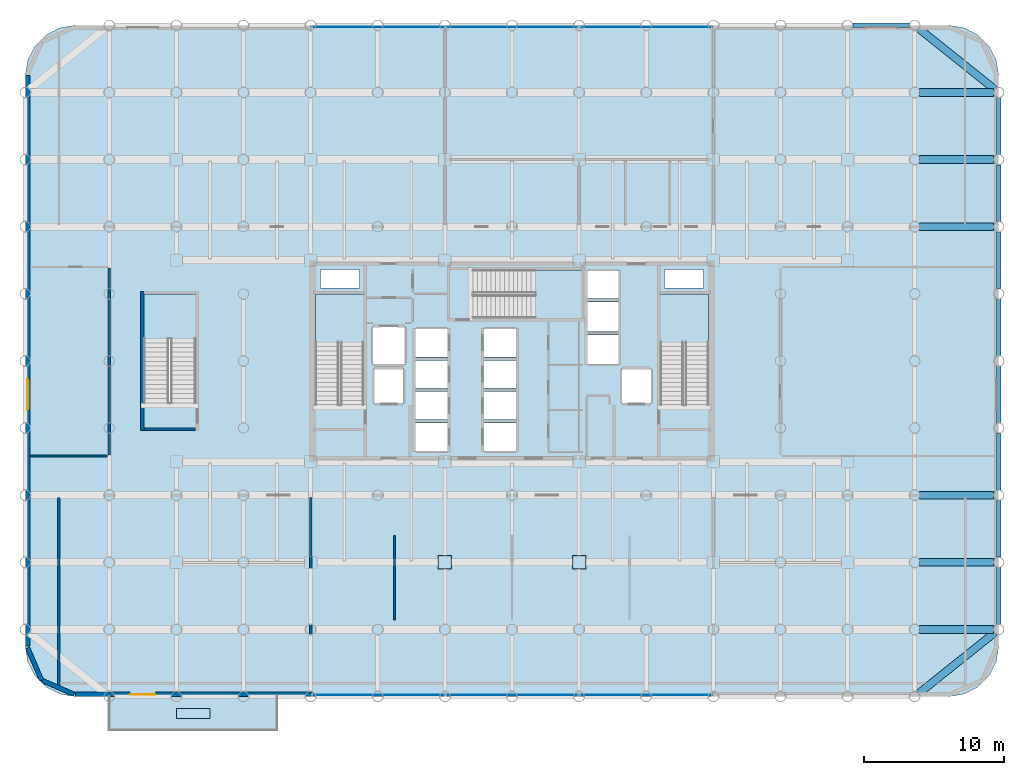
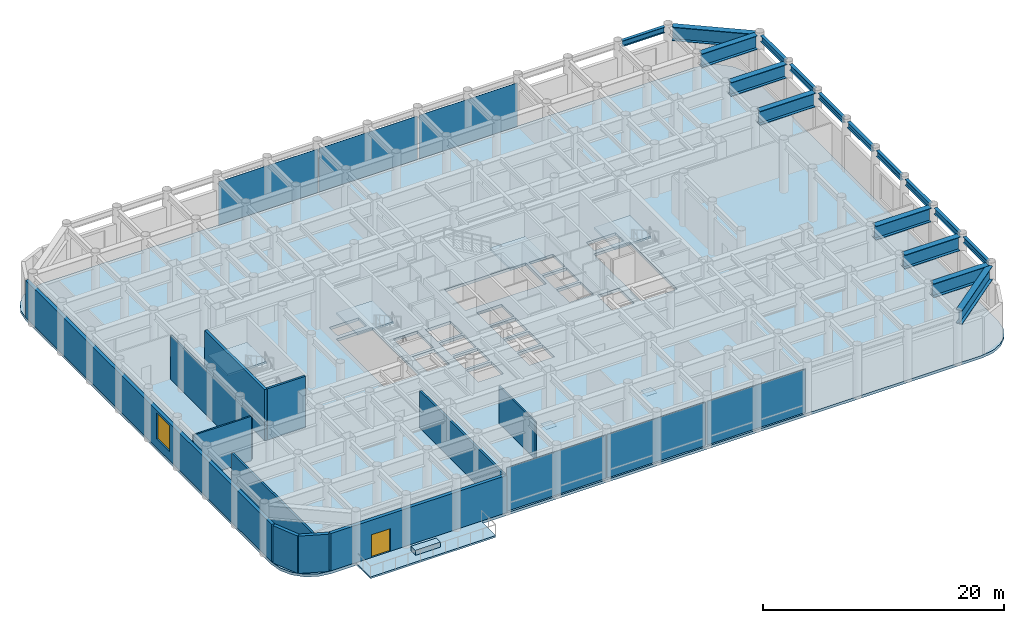
# One storey, part 11 of 17: 17 beams, 11 walls, 9 plates, 6 slabs, 1 door, 1 window, 2 openings, 10 elements without a shape of their own.
"""IFC4 building model written with IfcOpenShell, lengths in metres."""

from ifc_helpers import new_model, si_unit, direction, frame, frame_2d, origin, origin_2d, place, context, subcontext, project, spatial, polyline, rectangle, i_section, outline, extrude, material, layer, layer_set, material_profile, profile_set, type_object, element, fill, aggregate, save


model = new_model("IFC4")

# Units and contexts
model_context = context("Model", 3, precision=1e-05, world=origin(), true_north=direction((0.0, 1.0)))
body_context = subcontext(model_context, "Body", "Model", "MODEL_VIEW")
ifc_project = project(units=[si_unit("LENGTHUNIT", "METRE"), si_unit("AREAUNIT", "SQUARE_METRE"), si_unit("VOLUMEUNIT", "CUBIC_METRE"), si_unit("PLANEANGLEUNIT", "RADIAN"), si_unit("MASSUNIT", "GRAM", prefix="KILO")], contexts=[model_context])

# Site, building, storey
site_placement = place(None, origin())
site = spatial("IfcSite", under=ifc_project, at=site_placement, CompositionType="ELEMENT")
building_placement = place(site_placement, origin())
building = spatial("IfcBuilding", under=site, at=building_placement, Name="Kallvorn Hotel Tower", CompositionType="ELEMENT")
storey_placement = place(building_placement, frame((0.0, 0.0, 19.199951171875)))
storey = spatial("IfcBuildingStorey", under=building, at=storey_placement, Name="L03", CompositionType="ELEMENT", Elevation=19.199951171875)

# Beams
ifc_material_1 = material(Name="Structural steel S355JR", Category="steel")
ifc_material_profile_1 = material_profile(ifc_material_1, i_section(OverallWidth=0.300048828125, OverallDepth=0.60009765625, WebThickness=0.015380859375, FlangeThickness=0.030029296875, at=origin_2d()), Name="HE 600 B")
ifc_profile_set_1 = profile_set([ifc_material_profile_1], Name="Structural steel S355JR")
beam_type_1 = type_object("IfcBeamType", Name="BM_HE600B", PredefinedType="SPANDREL", material=ifc_profile_set_1)
beam_placement = place(storey_placement, frame((24.37109375, 24.0, 4.880126953125), z_axis=(1.0, 0.0, 0.0), x_axis=(0.0, 1.0, 0.0)))
element("IfcBeam", 1, at=beam_placement, inside=storey, type_object=beam_type_1, Name="L04 Perimeter Spandrel 195", PredefinedType="SPANDREL", context=body_context, shape_type="SweptSolid", body=[
    extrude(i_section(OverallWidth=0.300048828125, OverallDepth=0.60009765625, WebThickness=0.015380859375, FlangeThickness=0.030029296875, at=origin_2d()), origin(), (0.0, 0.0, 1.0), 4.057861328125),
])
for number, where, z_axis, x_axis, name in (
    (2, (34.800048828125, -18.8291015625, 4.880126953125), (0.0, 1.0, 0.0), (-1.0, 0.0, 0.0), "L04 Perimeter Spandrel 204"),
    (3, (34.800048828125, -14.029052734375, 4.880126953125), (0.0, 1.0, 0.0), (-1.0, 0.0, 0.0), "L04 Perimeter Spandrel 205"),
    (4, (34.800048828125, -9.22900390625, 4.880126953125), (0.0, 1.0, 0.0), (-1.0, 0.0, 0.0), "L04 Perimeter Spandrel 206"),
):
    element("IfcBeam", number, at=place(storey_placement, frame(where, z_axis=z_axis, x_axis=x_axis)), inside=storey, type_object=beam_type_1, Name=name, PredefinedType="SPANDREL", context=body_context, shape_type="SweptSolid", body=[
        extrude(i_section(OverallWidth=0.300048828125, OverallDepth=0.60009765625, WebThickness=0.015380859375, FlangeThickness=0.030029296875, at=origin_2d()), origin(), (0.0, 0.0, 1.0), 4.05810546875),
    ])
for number, where, z_axis, x_axis, name in (
    (5, (34.800048828125, -4.428955078125, 4.880126953125), (0.0, 1.0, 0.0), (-1.0, 0.0, 0.0), "L04 Perimeter Spandrel 207"),
    (6, (34.800048828125, 0.37109375, 4.880126953125), (0.0, 1.0, 0.0), (-1.0, 0.0, 0.0), "L04 Perimeter Spandrel 208"),
):
    element("IfcBeam", number, at=place(storey_placement, frame(where, z_axis=z_axis, x_axis=x_axis)), inside=storey, type_object=beam_type_1, Name=name, PredefinedType="SPANDREL", context=body_context, shape_type="SweptSolid", body=[
        extrude(i_section(OverallWidth=0.300048828125, OverallDepth=0.60009765625, WebThickness=0.015380859375, FlangeThickness=0.030029296875, at=origin_2d()), origin(), (0.0, 0.0, 1.0), 4.057861328125),
    ])
for number, where, z_axis, x_axis, name in (
    (7, (34.800048828125, 5.1708984375, 4.880126953125), (0.0, 1.0, 0.0), (-1.0, 0.0, 0.0), "L04 Perimeter Spandrel 209"),
    (8, (34.800048828125, 9.970947265625, 4.880126953125), (0.0, 1.0, 0.0), (-1.0, 0.0, 0.0), "L04 Perimeter Spandrel 210"),
    (9, (34.800048828125, 14.77099609375, 4.880126953125), (0.0, 1.0, 0.0), (-1.0, 0.0, 0.0), "L04 Perimeter Spandrel 211"),
):
    element("IfcBeam", number, at=place(storey_placement, frame(where, z_axis=z_axis, x_axis=x_axis)), inside=storey, type_object=beam_type_1, Name=name, PredefinedType="SPANDREL", context=body_context, shape_type="SweptSolid", body=[
        extrude(i_section(OverallWidth=0.300048828125, OverallDepth=0.60009765625, WebThickness=0.015380859375, FlangeThickness=0.030029296875, at=origin_2d()), origin(), (0.0, 0.0, 1.0), 4.05810546875),
    ])
ifc_material_2 = material(Name="Structural steel S355JR", Category="steel")
ifc_material_profile_2 = material_profile(ifc_material_2, i_section(OverallWidth=0.550048828125, OverallDepth=1.39990234375, WebThickness=0.02490234375, FlangeThickness=0.044921875, at=origin_2d()), Name="PG 1400x550x25x45")
ifc_profile_set_2 = profile_set([ifc_material_profile_2], Name="Structural steel S355JR")
beam_type_2 = type_object("IfcBeamType", Name="BM_PG_1400", PredefinedType="BEAM", material=ifc_profile_set_2)
for number, where, z_axis, x_axis, name in (
    (10, (29.156005859375, -19.199951171875, 4.47998046875), (1.0, 0.0, 0.0), (0.0, 1.0, 0.0), "L04 Primary X-Girder 14"),
    (11, (29.156005859375, -14.39990234375, 4.47998046875), (1.0, 0.0, 0.0), (0.0, 1.0, 0.0), "L04 Primary X-Girder 25"),
    (12, (29.156005859375, -9.60009765625, 4.47998046875), (1.0, 0.0, 0.0), (0.0, 1.0, 0.0), "L04 Primary X-Girder 35"),
    (13, (29.156005859375, 9.60009765625, 4.47998046875), (1.0, 0.0, 0.0), (0.0, 1.0, 0.0), "L04 Primary X-Girder 54"),
    (14, (29.156005859375, 14.39990234375, 4.47998046875), (1.0, 0.0, 0.0), (0.0, 1.0, 0.0), "L04 Primary X-Girder 65"),
    (15, (29.156005859375, 19.199951171875, 4.47998046875), (1.0, 0.0, 0.0), (0.0, 1.0, 0.0), "L04 Primary X-Girder 79"),
):
    element("IfcBeam", number, at=place(storey_placement, frame(where, z_axis=z_axis, x_axis=x_axis)), inside=storey, type_object=beam_type_2, Name=name, PredefinedType="BEAM", context=body_context, shape_type="SweptSolid", body=[
        extrude(i_section(OverallWidth=0.550048828125, OverallDepth=1.39990234375, WebThickness=0.02490234375, FlangeThickness=0.044921875, at=origin_2d()), origin(), (0.0, 0.0, 1.0), 5.2880859375),
    ])
for number, where, z_axis, x_axis, name in (
    (16, (34.51025390625, -19.431884765625, 4.47998046875), (-0.780875671801, -0.62468646951, 0.0), (0.62468646951, -0.780875671801, 0.0), "L04 Rounded Corner Tie Beam 214"),
    (17, (34.51025390625, 19.431884765625, 4.47998046875), (-0.780875671801, 0.62468646951, 0.0), (-0.62468646951, -0.780875671801, 0.0), "L04 Rounded Corner Tie Beam 215"),
):
    element("IfcBeam", number, at=place(storey_placement, frame(where, z_axis=z_axis, x_axis=x_axis)), inside=storey, type_object=beam_type_2, Name=name, PredefinedType="BEAM", context=body_context, shape_type="SweptSolid", body=[
        extrude(i_section(OverallWidth=0.550048828125, OverallDepth=1.39990234375, WebThickness=0.02490234375, FlangeThickness=0.044921875, at=origin_2d()), origin(), (0.0, 0.0, 1.0), 6.941650390625),
    ])

# Curtain wall, plate
ifc_material_3 = material(Name="Thermally broken black-anodised aluminium AA 6063-T6", Category="aluminium")
ifc_layer_1 = layer(ifc_material_3, 0.219970703125)
ifc_layer_set_1 = layer_set([ifc_layer_1], Name="CW_SYS_2_PODIUM_CASC")
curtain_wall_type = type_object("IfcCurtainWallType", Name="CW_SYS_2_PODIUM_CASC", PredefinedType="USERDEFINED", material=ifc_layer_set_1)
curtain_wall_1_placement = place(storey_placement, origin())
curtain_wall_1 = element("IfcCurtainWall", 18, at=curtain_wall_1_placement, inside=storey, type_object=curtain_wall_type, Name="L03 Dark-Glass Curtain Wall CW-L03-S1", ObjectType="UNITISED CURTAIN WALL", PredefinedType="USERDEFINED")
ifc_material_4 = material(Name="Double-glazed low-e solar-control dark glass", Category="glass")
ifc_layer_2 = layer(ifc_material_4, 0.03955078125)
ifc_layer_set_2 = layer_set([ifc_layer_2], Name="CW_SYS_2_PODIUM_CASC_PANEL")
plate_type_1 = type_object("IfcPlateType", Name="CW_SYS_2_PODIUM_CASC_PANEL", PredefinedType="CURTAIN_PANEL", material=ifc_layer_set_2)
plate_1_placement = place(storey_placement, frame((-9.550048828125, -23.8798828125, 0.06005859375), z_axis=(0.0, 0.0, 1.0), x_axis=(1.0, 0.0, 0.0)))
plate_1 = element("IfcPlate", 19, at=plate_1_placement, type_object=plate_type_1, Name="CW-L03-S1 Vision Glass Panel 00", PredefinedType="CURTAIN_PANEL", context=body_context, shape_type="SweptSolid", body=[
    extrude(rectangle(XDim=9.5400390625, YDim=0.03955078125, at=origin_2d()), origin(), (0.0, 0.0, 1.0), 4.409912109375),
])
aggregate(curtain_wall_1, [plate_1])

curtain_wall_2_placement = place(storey_placement, origin())
curtain_wall_2 = element("IfcCurtainWall", 20, at=curtain_wall_2_placement, inside=storey, type_object=curtain_wall_type, Name="L03 Dark-Glass Curtain Wall CW-L03-N1", ObjectType="UNITISED CURTAIN WALL", PredefinedType="USERDEFINED")
plate_2_placement = place(storey_placement, frame((-9.550048828125, 23.8798828125, 0.06005859375), z_axis=(0.0, 0.0, 1.0), x_axis=(1.0, 0.0, 0.0)))
plate_2 = element("IfcPlate", 21, at=plate_2_placement, type_object=plate_type_1, Name="CW-L03-N1 Vision Glass Panel 00", PredefinedType="CURTAIN_PANEL", context=body_context, shape_type="SweptSolid", body=[
    extrude(rectangle(XDim=9.5400390625, YDim=0.03955078125, at=origin_2d()), origin(), (0.0, 0.0, 1.0), 4.409912109375),
])
aggregate(curtain_wall_2, [plate_2])

curtain_wall_3_placement = place(storey_placement, origin())
curtain_wall_3 = element("IfcCurtainWall", 22, at=curtain_wall_3_placement, inside=storey, type_object=curtain_wall_type, Name="L03 Dark-Glass Curtain Wall CW-L03-S2", ObjectType="UNITISED CURTAIN WALL", PredefinedType="USERDEFINED")
plate_3_placement = place(storey_placement, frame((0.0, -23.8798828125, 0.06005859375), z_axis=(0.0, 0.0, 1.0), x_axis=(1.0, 0.0, 0.0)))
plate_3 = element("IfcPlate", 23, at=plate_3_placement, type_object=plate_type_1, Name="CW-L03-S2 Vision Glass Panel 00", PredefinedType="CURTAIN_PANEL", context=body_context, shape_type="SweptSolid", body=[
    extrude(rectangle(XDim=9.43994140625, YDim=0.03955078125, at=origin_2d()), origin(), (0.0, 0.0, 1.0), 4.409912109375),
])
aggregate(curtain_wall_3, [plate_3])

curtain_wall_4_placement = place(storey_placement, origin())
curtain_wall_4 = element("IfcCurtainWall", 24, at=curtain_wall_4_placement, inside=storey, type_object=curtain_wall_type, Name="L03 Dark-Glass Curtain Wall CW-L03-N2", ObjectType="UNITISED CURTAIN WALL", PredefinedType="USERDEFINED")
plate_4_placement = place(storey_placement, frame((0.0, 23.8798828125, 0.06005859375), z_axis=(0.0, 0.0, 1.0), x_axis=(1.0, 0.0, 0.0)))
plate_4 = element("IfcPlate", 25, at=plate_4_placement, type_object=plate_type_1, Name="CW-L03-N2 Vision Glass Panel 00", PredefinedType="CURTAIN_PANEL", context=body_context, shape_type="SweptSolid", body=[
    extrude(rectangle(XDim=9.43994140625, YDim=0.03955078125, at=origin_2d()), origin(), (0.0, 0.0, 1.0), 4.409912109375),
])
aggregate(curtain_wall_4, [plate_4])

curtain_wall_5_placement = place(storey_placement, origin())
curtain_wall_5 = element("IfcCurtainWall", 26, at=curtain_wall_5_placement, inside=storey, type_object=curtain_wall_type, Name="L03 Dark-Glass Curtain Wall CW-L03-S3", ObjectType="UNITISED CURTAIN WALL", PredefinedType="USERDEFINED")
plate_5_placement = place(storey_placement, frame((9.60009765625, -23.8798828125, 0.06005859375), z_axis=(0.0, 0.0, 1.0), x_axis=(1.0, 0.0, 0.0)))
plate_5 = element("IfcPlate", 27, at=plate_5_placement, type_object=plate_type_1, Name="CW-L03-S3 Vision Glass Panel 00", PredefinedType="CURTAIN_PANEL", context=body_context, shape_type="SweptSolid", body=[
    extrude(rectangle(XDim=9.43994140625, YDim=0.03955078125, at=origin_2d()), origin(), (0.0, 0.0, 1.0), 4.409912109375),
])
aggregate(curtain_wall_5, [plate_5])

curtain_wall_6_placement = place(storey_placement, origin())
curtain_wall_6 = element("IfcCurtainWall", 28, at=curtain_wall_6_placement, inside=storey, type_object=curtain_wall_type, Name="L03 Dark-Glass Curtain Wall CW-L03-N3", ObjectType="UNITISED CURTAIN WALL", PredefinedType="USERDEFINED")
plate_6_placement = place(storey_placement, frame((9.60009765625, 23.8798828125, 0.06005859375), z_axis=(0.0, 0.0, 1.0), x_axis=(1.0, 0.0, 0.0)))
plate_6 = element("IfcPlate", 29, at=plate_6_placement, type_object=plate_type_1, Name="CW-L03-N3 Vision Glass Panel 00", PredefinedType="CURTAIN_PANEL", context=body_context, shape_type="SweptSolid", body=[
    extrude(rectangle(XDim=9.43994140625, YDim=0.03955078125, at=origin_2d()), origin(), (0.0, 0.0, 1.0), 4.409912109375),
])
aggregate(curtain_wall_6, [plate_6])

# Plates
ifc_material_5 = material(Name="Structural steel S355JR", Category="steel")
ifc_layer_3 = layer(ifc_material_5, 0.030029296875)
ifc_layer_set_3 = layer_set([ifc_layer_3], Name="PLT_CAP_30")
plate_type_2 = type_object("IfcPlateType", Name="PLT_CAP_30", PredefinedType="SHEET", material=ifc_layer_set_3)
for number, where, z_axis, x_axis, name in (
    (30, (-4.800048828125, -14.39990234375, -0.31005859375), (0.0, 0.0, 1.0), (1.0, 0.0, 0.0), "L03 Hollow Column Base End Cap Plate 0095"),
    (31, (4.800048828125, -14.39990234375, -0.31005859375), (0.0, 0.0, 1.0), (1.0, 0.0, 0.0), "L03 Hollow Column Base End Cap Plate 0096"),
):
    element("IfcPlate", number, at=place(storey_placement, frame(where, z_axis=z_axis, x_axis=x_axis)), inside=storey, type_object=plate_type_2, Name=name, PredefinedType="SHEET", context=body_context, shape_type="SweptSolid", body=[
        extrude(rectangle(XDim=0.97998046875, YDim=0.97998046875, at=origin_2d()), origin(), (0.0, 0.0, 1.0), 0.030029296875),
    ])
ifc_material_6 = material(Name="Powder-coated marine-grade aluminium planter trough", Category="aluminium")
ifc_layer_4 = layer(ifc_material_6, 0.0400390625)
ifc_layer_set_4 = layer_set([ifc_layer_4], Name="PLT_PLANTER_TROUGH")
plate_type_3 = type_object("IfcPlateType", Name="PLT_PLANTER_TROUGH", PredefinedType="USERDEFINED", material=ifc_layer_set_4)
plate_7_placement = place(storey_placement, frame((-22.800048828125, -25.199951171875, 0.0), z_axis=(0.0, 0.0, 1.0), x_axis=(1.0, 0.0, 0.0)))
element("IfcPlate", 32, at=plate_7_placement, inside=storey, type_object=plate_type_3, Name="TER-L03-S Planted Terrace Trough", ObjectType="FACADE PLANTER TROUGH", PredefinedType="USERDEFINED", context=body_context, shape_type="SweptSolid", body=[
    extrude(rectangle(XDim=2.39990234375, YDim=0.699951171875, at=origin_2d()), origin(), (0.0, 0.0, 1.0), 0.5),
])

# Stair, slab
ifc_material_7 = material(Name="Precast concrete C40/50", Category="concrete")
stair_type_1 = type_object("IfcStairType", Name="STR_CORE_DOGLEG", PredefinedType="HALF_TURN_STAIR", material=ifc_material_7)
stair_1_placement = place(storey_placement, origin())
stair_1 = element("IfcStair", 33, at=stair_1_placement, inside=storey, type_object=stair_type_1, Name="L03 Exit stair ST1", PredefinedType="HALF_TURN_STAIR")
ifc_material_8 = material(Name="Precast concrete C40/50", Category="concrete")
ifc_layer_5 = layer(ifc_material_8, 0.179931640625)
ifc_layer_set_5 = layer_set([ifc_layer_5], Name="SLB_LANDING_180")
slab_type_1 = type_object("IfcSlabType", Name="SLB_LANDING_180", PredefinedType="LANDING", material=ifc_layer_set_5)
slab_1_placement = place(storey_placement, frame((0.0, 0.0, 2.5)))
slab_1 = element("IfcSlab", 34, at=slab_1_placement, type_object=slab_type_1, Name="ST1 landing 1", PredefinedType="LANDING", context=body_context, shape_type="SweptSolid", body=[
    extrude(outline(polyline([(-10.60009765625, 1.2900390625), (-10.60009765625, 4.800048828125), (-14.06005859375, 4.800048828125), (-14.06005859375, 1.2900390625), (-10.60009765625, 1.2900390625)])), origin(), (0.0, 0.0, 1.0), 0.199951171875),
])
aggregate(stair_1, [slab_1])

stair_2_placement = place(storey_placement, origin())
stair_2 = element("IfcStair", 35, at=stair_2_placement, inside=storey, type_object=stair_type_1, Name="L03 Exit stair ST2", PredefinedType="HALF_TURN_STAIR")
slab_2_placement = place(storey_placement, frame((0.0, 0.0, 2.5)))
slab_2 = element("IfcSlab", 36, at=slab_2_placement, type_object=slab_type_1, Name="ST2 landing 1", PredefinedType="LANDING", context=body_context, shape_type="SweptSolid", body=[
    extrude(outline(polyline([(14.06005859375, 1.2900390625), (14.06005859375, 4.800048828125), (10.60009765625, 4.800048828125), (10.60009765625, 1.2900390625), (14.06005859375, 1.2900390625)])), origin(), (0.0, 0.0, 1.0), 0.199951171875),
])
aggregate(stair_2, [slab_2])

stair_3_placement = place(storey_placement, origin())
stair_3 = element("IfcStair", 37, at=stair_3_placement, inside=storey, type_object=stair_type_1, Name="L03 Exit stair ST3", PredefinedType="HALF_TURN_STAIR")
slab_3_placement = place(storey_placement, frame((0.0, 0.0, 2.5)))
slab_3 = element("IfcSlab", 38, at=slab_3_placement, type_object=slab_type_1, Name="ST3 landing 1", PredefinedType="LANDING", context=body_context, shape_type="SweptSolid", body=[
    extrude(outline(polyline([(1.639892578125, 3.050048828125), (5.050048828125, 3.050048828125), (5.050048828125, 6.510009765625), (1.639892578125, 6.510009765625), (1.639892578125, 3.050048828125)])), origin(), (0.0, 0.0, 1.0), 0.199951171875),
])
aggregate(stair_3, [slab_3])

ifc_material_9 = material(Name="Precast concrete C40/50", Category="concrete")
stair_type_2 = type_object("IfcStairType", Name="STR_POD_DOGLEG", PredefinedType="HALF_TURN_STAIR", material=ifc_material_9)
stair_4_placement = place(storey_placement, origin())
stair_4 = element("IfcStair", 39, at=stair_4_placement, inside=storey, type_object=stair_type_2, Name="L03 Exit stair ST4", PredefinedType="HALF_TURN_STAIR")
slab_4_placement = place(storey_placement, frame((0.0, 0.0, 2.5)))
slab_4 = element("IfcSlab", 40, at=slab_4_placement, type_object=slab_type_1, Name="ST4 landing 1", PredefinedType="LANDING", context=body_context, shape_type="SweptSolid", body=[
    extrude(outline(polyline([(-22.60009765625, 1.570068359375), (-22.60009765625, 4.800048828125), (-26.340087890625, 4.800048828125), (-26.340087890625, 1.570068359375), (-22.60009765625, 1.570068359375)])), origin(), (0.0, 0.0, 1.0), 0.199951171875),
])
aggregate(stair_4, [slab_4])

# Slabs
ifc_material_10 = material(Name="Concrete C40/50", Category="concrete")
ifc_layer_6 = layer(ifc_material_10, 0.179931640625)
ifc_layer_set_6 = layer_set([ifc_layer_6], Name="SLB_TERRACE_180")
slab_type_2 = type_object("IfcSlabType", Name="SLB_TERRACE_180", PredefinedType="ROOF", material=ifc_layer_set_6)
slab_5_placement = place(storey_placement, frame((0.0, 0.0, -0.179931640625)))
element("IfcSlab", 41, at=slab_5_placement, inside=storey, type_object=slab_type_2, Name="L03 Cascading Garden Terrace TER-L03-S", PredefinedType="ROOF", context=body_context, shape_type="SweptSolid", body=[
    extrude(outline(polyline([(-28.800048828125, -26.39990234375), (-16.800048828125, -26.39990234375), (-16.800048828125, -24.0), (-28.800048828125, -24.0), (-28.800048828125, -26.39990234375)])), origin(), (0.0, 0.0, 1.0), 0.179931640625),
])
ifc_material_11 = material(Name="Concrete C40/50", Category="concrete")
ifc_layer_7 = layer(ifc_material_11, 0.280029296875)
ifc_layer_set_7 = layer_set([ifc_layer_7], Name="SLB_TRANS_280")
slab_type_3 = type_object("IfcSlabType", Name="SLB_TRANS_280", PredefinedType="FLOOR", material=ifc_layer_set_7)
slab_6_placement = place(storey_placement, frame((0.0, 0.0, -0.280029296875)))
element("IfcSlab", 42, at=slab_6_placement, inside=storey, type_object=slab_type_3, Name="L03 Structural Floor Slab", PredefinedType="FLOOR", context=body_context, shape_type="SweptSolid", body=[
    extrude(outline(polyline([(31.199951171875, -24.0), (32.3125, -23.82373046875), (33.31591796875, -23.3125), (34.112548828125, -22.51611328125), (34.623779296875, -21.512451171875), (34.800048828125, -20.39990234375), (34.800048828125, 20.39990234375), (34.623779296875, 21.512451171875), (34.112548828125, 22.51611328125), (33.31591796875, 23.3125), (32.3125, 23.82373046875), (31.199951171875, 24.0), (-31.199951171875, 24.0), (-32.3125, 23.82373046875), (-33.31591796875, 23.3125), (-34.112548828125, 22.51611328125), (-34.623779296875, 21.512451171875), (-34.800048828125, 20.39990234375), (-34.800048828125, -20.39990234375), (-34.623779296875, -21.512451171875), (-34.112548828125, -22.51611328125), (-33.31591796875, -23.3125), (-32.3125, -23.82373046875), (-31.199951171875, -24.0), (31.199951171875, -24.0)]), holes=[polyline([(-10.60009765625, -3.070068359375), (-10.60009765625, 4.800048828125), (-14.06005859375, 4.800048828125), (-14.06005859375, -3.070068359375), (-10.60009765625, -3.070068359375)]), polyline([(14.06005859375, -3.070068359375), (14.06005859375, 4.800048828125), (10.60009765625, 4.800048828125), (10.60009765625, -3.070068359375), (14.06005859375, -3.070068359375)]), polyline([(-2.719970703125, 3.050048828125), (5.050048828125, 3.050048828125), (5.050048828125, 6.510009765625), (-2.719970703125, 6.510009765625), (-2.719970703125, 3.050048828125)]), polyline([(-22.60009765625, -2.929931640625), (-22.60009765625, 4.800048828125), (-26.340087890625, 4.800048828125), (-26.340087890625, -2.929931640625), (-22.60009765625, -2.929931640625)]), polyline([(-6.949951171875, -6.449951171875), (-4.550048828125, -6.449951171875), (-4.550048828125, -4.449951171875), (-6.949951171875, -4.449951171875), (-6.949951171875, -6.449951171875)]), polyline([(-6.949951171875, -4.199951171875), (-4.550048828125, -4.199951171875), (-4.550048828125, -2.199951171875), (-6.949951171875, -2.199951171875), (-6.949951171875, -4.199951171875)]), polyline([(-6.949951171875, -1.949951171875), (-4.550048828125, -1.949951171875), (-4.550048828125, 0.050048828125), (-6.949951171875, 0.050048828125), (-6.949951171875, -1.949951171875)]), polyline([(-6.949951171875, 0.300048828125), (-4.550048828125, 0.300048828125), (-4.550048828125, 2.300048828125), (-6.949951171875, 2.300048828125), (-6.949951171875, 0.300048828125)]), polyline([(-2.050048828125, -6.449951171875), (0.35009765625, -6.449951171875), (0.35009765625, -4.449951171875), (-2.050048828125, -4.449951171875), (-2.050048828125, -6.449951171875)]), polyline([(-2.050048828125, -4.199951171875), (0.35009765625, -4.199951171875), (0.35009765625, -2.199951171875), (-2.050048828125, -2.199951171875), (-2.050048828125, -4.199951171875)]), polyline([(-2.050048828125, -1.949951171875), (0.35009765625, -1.949951171875), (0.35009765625, 0.050048828125), (-2.050048828125, 0.050048828125), (-2.050048828125, -1.949951171875)]), polyline([(-2.050048828125, 0.300048828125), (0.35009765625, 0.300048828125), (0.35009765625, 2.300048828125), (-2.050048828125, 2.300048828125), (-2.050048828125, 0.300048828125)]), polyline([(5.35009765625, -0.25), (7.64990234375, -0.25), (7.64990234375, 1.85009765625), (5.35009765625, 1.85009765625), (5.35009765625, -0.25)]), polyline([(5.35009765625, 2.10009765625), (7.64990234375, 2.10009765625), (7.64990234375, 4.199951171875), (5.35009765625, 4.199951171875), (5.35009765625, 2.10009765625)]), polyline([(5.35009765625, 4.449951171875), (7.64990234375, 4.449951171875), (7.64990234375, 6.449951171875), (5.35009765625, 6.449951171875), (5.35009765625, 4.449951171875)]), polyline([(-9.85009765625, -3.050048828125), (-7.75, -3.050048828125), (-7.75, -0.550048828125), (-9.85009765625, -0.550048828125), (-9.85009765625, -3.050048828125)]), polyline([(7.85009765625, -3.050048828125), (9.949951171875, -3.050048828125), (9.949951171875, -0.550048828125), (7.85009765625, -0.550048828125), (7.85009765625, -3.050048828125)]), polyline([(-9.949951171875, -0.25), (-7.64990234375, -0.25), (-7.64990234375, 2.449951171875), (-9.949951171875, 2.449951171875), (-9.949951171875, -0.25)]), polyline([(-13.699951171875, 5.199951171875), (-10.89990234375, 5.199951171875), (-10.89990234375, 6.550048828125), (-13.699951171875, 6.550048828125), (-13.699951171875, 5.199951171875)]), polyline([(10.89990234375, 5.199951171875), (13.699951171875, 5.199951171875), (13.699951171875, 6.550048828125), (10.89990234375, 6.550048828125), (10.89990234375, 5.199951171875)])]), origin(), (0.0, 0.0, 1.0), 0.280029296875),
])

# Walls
ifc_material_12 = material(Name="Fire-rated double-layer acoustic gypsum drywall EI 60")
ifc_layer_8 = layer(ifc_material_12, 0.179931640625)
ifc_layer_set_8 = layer_set([ifc_layer_8], Name="WL_CORR_180")
wall_type_1 = type_object("IfcWallType", Name="WL_CORR_180", PredefinedType="PARTITIONING", material=ifc_layer_set_8)
wall_1_placement = place(storey_placement, frame((-32.39990234375, -23.1982421875, 0.0), z_axis=(0.0, 0.0, 1.0), x_axis=(0.0, 1.0, 0.0)))
element("IfcWall", 43, at=wall_1_placement, inside=storey, type_object=wall_type_1, Name="L03 West Plenary Pre-Function Foyer Partition", PredefinedType="PARTITIONING", context=body_context, shape_type="SweptSolid", body=[
    extrude(rectangle(XDim=13.4482421875, YDim=0.179931640625, at=frame_2d((6.72412109375, 0.0))), origin(), (0.0, 0.0, 1.0), 3.780029296875),
])
wall_2_placement = place(storey_placement, frame((-14.39990234375, -23.7548828125, 0.0), z_axis=(0.0, 0.0, 1.0), x_axis=(0.0, 1.0, 0.0)))
element("IfcWall", 44, at=wall_2_placement, inside=storey, type_object=wall_type_1, Name="L03 Andes Plenary Conference Hall Partition", PredefinedType="PARTITIONING", context=body_context, shape_type="SweptSolid", body=[
    extrude(rectangle(XDim=14.0048828125, YDim=0.179931640625, at=frame_2d((7.00244140625, 0.0))), origin(), (0.0, 0.0, 1.0), 3.780029296875),
])

# Wall, opening, door
ifc_material_13 = material(Name="Precast basalt-clad insulated concrete wall C40/50", Category="masonry")
ifc_layer_9 = layer(ifc_material_13, 0.320068359375)
ifc_layer_set_9 = layer_set([ifc_layer_9], Name="WL_EXT_BAY_320")
wall_type_2 = type_object("IfcWallType", Name="WL_EXT_BAY_320", PredefinedType="SOLIDWALL", material=ifc_layer_set_9)
wall_3_placement = place(storey_placement, frame((-14.35009765625, -23.840087890625, 0.0), z_axis=(0.0, 0.0, 1.0), x_axis=(-1.0, 0.0, 0.0)))
wall_3 = element("IfcWall", 45, at=wall_3_placement, inside=storey, type_object=wall_type_2, Name="L03 Podium Exterior Wall EW-L03-SW", PredefinedType="SOLIDWALL", context=body_context, shape_type="SweptSolid", body=[
    extrude(rectangle(XDim=16.849853515625, YDim=0.320068359375, at=frame_2d((8.4248046875, 0.0))), origin(), (0.0, 0.0, 1.0), 3.780029296875),
])
opening_1_placement = place(wall_3_placement, frame((11.14990234375, 0.0, 0.0)))
opening_1 = element("IfcOpeningElement", 46, at=opening_1_placement, cuts=wall_3, Name="Opening TD1", PredefinedType="OPENING", context=body_context, shape_type="SweptSolid", body=[
    extrude(rectangle(XDim=1.800048828125, YDim=2.300048828125, at=frame_2d((0.89990234375, 1.14990234375))), frame((0.0, 0.175048828125, 0.0), z_axis=(0.0, -1.0, 0.0), x_axis=(1.0, 0.0, 0.0)), (0.0, 0.0, 1.0), 0.35009765625),
])
ifc_material_14 = material(Name="Double-glazed low-e solar-control dark glass", Category="glass")
door_type = type_object("IfcDoorType", Name="DR_TERR_GLZ_1800x2300", OperationType="DOUBLE_DOOR_SINGLE_SWING", PredefinedType="DOOR", material=ifc_material_14)
door_placement = place(opening_1_placement, origin())
door = element("IfcDoor", 47, at=door_placement, inside=storey, type_object=door_type, Name="L03 Terrace Garden Access Door 1", OperationType="DOUBLE_DOOR_SINGLE_SWING", OverallHeight=2.300048828125, OverallWidth=1.800048828125, PredefinedType="DOOR", context=body_context, shape_type="SweptSolid", body=[
    extrude(rectangle(XDim=1.800048828125, YDim=2.300048828125, at=frame_2d((0.89990234375, 1.14990234375))), frame((0.0, 0.02490234375, 0.0), z_axis=(0.0, -1.0, 0.0), x_axis=(1.0, 0.0, 0.0)), (0.0, 0.0, 1.0), 0.050048828125),
])
fill(opening_1, door)

# Wall, opening, window
wall_4_placement = place(storey_placement, frame((-34.639892578125, -20.39990234375, 0.0), z_axis=(0.0, 0.0, 1.0), x_axis=(0.0, 1.0, 0.0)))
wall_4 = element("IfcWall", 48, at=wall_4_placement, inside=storey, type_object=wall_type_2, Name="L03 Podium Exterior Wall EW-L03-W", PredefinedType="SOLIDWALL", context=body_context, shape_type="SweptSolid", body=[
    extrude(rectangle(XDim=40.7998046875, YDim=0.320068359375, at=frame_2d((20.39990234375, 0.0))), origin(), (0.0, 0.0, 1.0), 3.780029296875),
])
opening_2_placement = place(wall_4_placement, frame((16.89990234375, 0.0, 0.89990234375)))
opening_2 = element("IfcOpeningElement", 49, at=opening_2_placement, cuts=wall_4, Name="Opening W03", PredefinedType="OPENING", context=body_context, shape_type="SweptSolid", body=[
    extrude(rectangle(XDim=2.199951171875, YDim=2.60009765625, at=frame_2d((1.10009765625, 1.300048828125))), frame((0.0, 0.175048828125, 0.0), z_axis=(0.0, -1.0, 0.0), x_axis=(1.0, 0.0, 0.0)), (0.0, 0.0, 1.0), 0.35009765625),
])
ifc_material_15 = material(Name="Double-glazed low-e solar-control dark glass", Category="glass")
window_type = type_object("IfcWindowType", Name="WN_CASC_2200x2600", PartitioningType="SINGLE_PANEL", PredefinedType="WINDOW", material=ifc_material_15)
window_placement = place(opening_2_placement, origin())
window = element("IfcWindow", 50, at=window_placement, inside=storey, type_object=window_type, Name="L03 Podium Window EW-L03-W", OverallHeight=2.60009765625, OverallWidth=2.199951171875, PartitioningType="SINGLE_PANEL", PredefinedType="WINDOW", context=body_context, shape_type="SweptSolid", body=[
    extrude(rectangle(XDim=2.199951171875, YDim=2.60009765625, at=frame_2d((1.10009765625, 1.300048828125))), frame((0.0, 0.030029296875, 0.0), z_axis=(0.0, -1.0, 0.0), x_axis=(1.0, 0.0, 0.0)), (0.0, 0.0, 1.0), 0.06005859375),
])
fill(opening_2, window)

# Walls
wall_5_placement = place(storey_placement, frame((-34.637939453125, -20.52001953125, 0.0), z_axis=(0.0, 0.0, 1.0), x_axis=(0.398786293654, -0.917043887714, 0.0)))
element("IfcWall", 51, at=wall_5_placement, inside=storey, type_object=wall_type_2, Name="L03 Rounded Corner Exterior Wall SW1", PredefinedType="SOLIDWALL", context=body_context, shape_type="SweptSolid", body=[
    extrude(rectangle(XDim=2.521728515625, YDim=0.320068359375, at=frame_2d((1.2607421875, 0.0))), origin(), (0.0, 0.0, 1.0), 3.780029296875),
])
wall_6_placement = place(storey_placement, frame((-33.63232421875, -22.83251953125, 0.0), z_axis=(0.0, 0.0, 1.0), x_axis=(0.917063898521, -0.3987402739, 0.0)))
element("IfcWall", 52, at=wall_6_placement, inside=storey, type_object=wall_type_2, Name="L03 Rounded Corner Exterior Wall SW2", PredefinedType="SOLIDWALL", context=body_context, shape_type="SweptSolid", body=[
    extrude(rectangle(XDim=2.521484375, YDim=0.320068359375, at=frame_2d((1.2607421875, 0.0))), origin(), (0.0, 0.0, 1.0), 3.780029296875),
])
ifc_material_16 = material(Name="Concrete C40/50", Category="concrete")
ifc_layer_10 = layer(ifc_material_16, 0.199951171875)
ifc_layer_set_10 = layer_set([ifc_layer_10], Name="WL_HOIST_200")
wall_type_3 = type_object("IfcWallType", Name="WL_HOIST_200", PredefinedType="SOLIDWALL", material=ifc_layer_set_10)
wall_7_placement = place(storey_placement, frame((-26.31005859375, -4.8798828125, -0.280029296875), z_axis=(0.0, 0.0, 1.0), x_axis=(1.0, 0.0, 0.0)))
element("IfcWall", 53, at=wall_7_placement, inside=storey, type_object=wall_type_3, Name="L03 Podium Exit Stair ST4 South Wall", PredefinedType="SOLIDWALL", context=body_context, shape_type="SweptSolid", body=[
    extrude(rectangle(XDim=3.68017578125, YDim=0.199951171875, at=frame_2d((1.840087890625, 0.0))), origin(), (0.0, 0.0, 1.0), 5.4599609375),
])
ifc_material_17 = material(Name="Motorised acoustic operable partition wall STC 54")
ifc_layer_11 = layer(ifc_material_17, 0.1298828125)
ifc_layer_set_11 = layer_set([ifc_layer_11], Name="WL_MOVABLE_130")
wall_type_4 = type_object("IfcWallType", Name="WL_MOVABLE_130", PredefinedType="MOVABLE", material=ifc_layer_set_11)
wall_8_placement = place(storey_placement, frame((-8.39990234375, -18.5, 0.0), z_axis=(0.0, 0.0, 1.0), x_axis=(0.0, 1.0, 0.0)))
element("IfcWall", 54, at=wall_8_placement, inside=storey, type_object=wall_type_4, Name="L03 Acoustic Operable Partition Wall 1", PredefinedType="MOVABLE", context=body_context, shape_type="SweptSolid", body=[
    extrude(rectangle(XDim=6.0, YDim=0.1298828125, at=frame_2d((3.0, 0.0))), origin(), (0.0, 0.0, 1.0), 3.780029296875),
])
ifc_material_18 = material(Name="Fire-rated double-layer acoustic gypsum drywall EI 60")
ifc_layer_12 = layer(ifc_material_18, 0.14990234375)
ifc_layer_set_12 = layer_set([ifc_layer_12], Name="WL_PART_150")
wall_type_5 = type_object("IfcWallType", Name="WL_PART_150", PredefinedType="PARTITIONING", material=ifc_layer_set_12)
wall_9_placement = place(storey_placement, frame((-34.469970703125, -6.800048828125, 0.0), z_axis=(0.0, 0.0, 1.0), x_axis=(1.0, 0.0, 0.0)))
element("IfcWall", 55, at=wall_9_placement, inside=storey, type_object=wall_type_5, Name="L03 West Conference Delegate Bar Partition", PredefinedType="PARTITIONING", context=body_context, shape_type="SweptSolid", body=[
    extrude(rectangle(XDim=5.550048828125, YDim=0.14990234375, at=frame_2d((2.77490234375, 0.0))), origin(), (0.0, 0.0, 1.0), 4.47998046875),
])
wall_10_placement = place(storey_placement, frame((-28.800048828125, -6.715087890625, 0.0), z_axis=(0.0, 0.0, 1.0), x_axis=(0.0, 1.0, 0.0)))
element("IfcWall", 56, at=wall_10_placement, inside=storey, type_object=wall_type_5, Name="L03 West Conference Delegate Bar Partition", PredefinedType="PARTITIONING", context=body_context, shape_type="SweptSolid", body=[
    extrude(rectangle(XDim=13.3466796875, YDim=0.14990234375, at=frame_2d((6.67333984375, 0.0))), origin(), (0.0, 0.0, 1.0), 4.47998046875),
])
ifc_material_19 = material(Name="Concrete C40/50", Category="concrete")
ifc_layer_13 = layer(ifc_material_19, 0.25)
ifc_layer_set_13 = layer_set([ifc_layer_13], Name="WL_SHAFT_250")
wall_type_6 = type_object("IfcWallType", Name="WL_SHAFT_250", PredefinedType="SOLIDWALL", material=ifc_layer_set_13)
wall_11_placement = place(storey_placement, frame((-26.43994140625, -4.9599609375, -0.280029296875), z_axis=(0.0, 0.0, 1.0), x_axis=(0.0, 1.0, 0.0)))
element("IfcWall", 57, at=wall_11_placement, inside=storey, type_object=wall_type_6, Name="L03 Podium Exit Stair ST4 West Wall", PredefinedType="SOLIDWALL", context=body_context, shape_type="SweptSolid", body=[
    extrude(rectangle(XDim=9.919921875, YDim=0.25, at=frame_2d((4.9599609375, 0.0))), origin(), (0.0, 0.0, 1.0), 5.4599609375),
])

save(model, "model.ifc")
